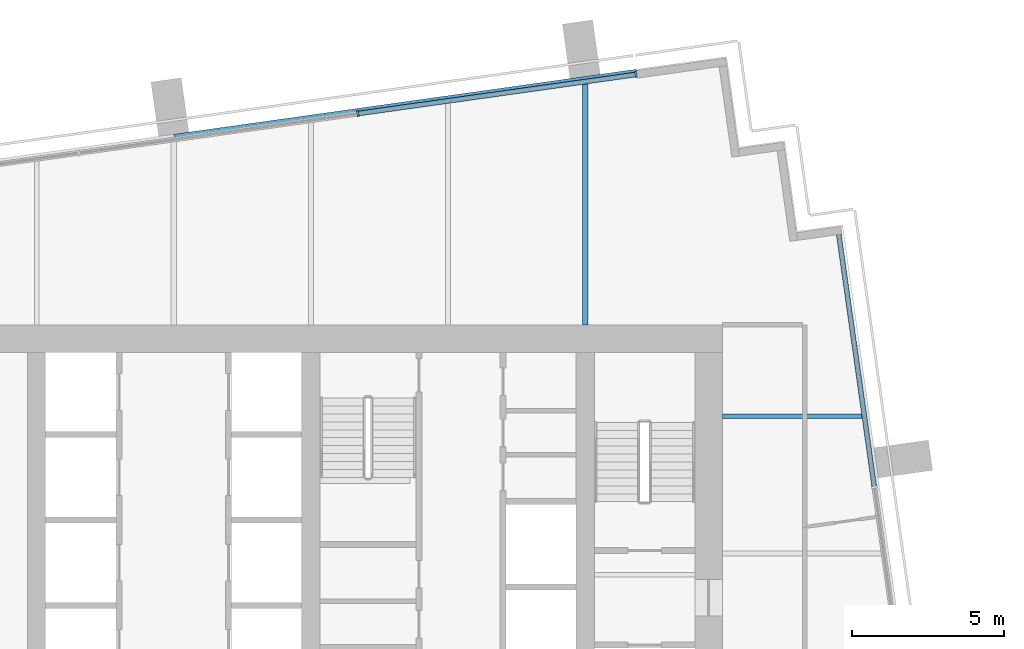
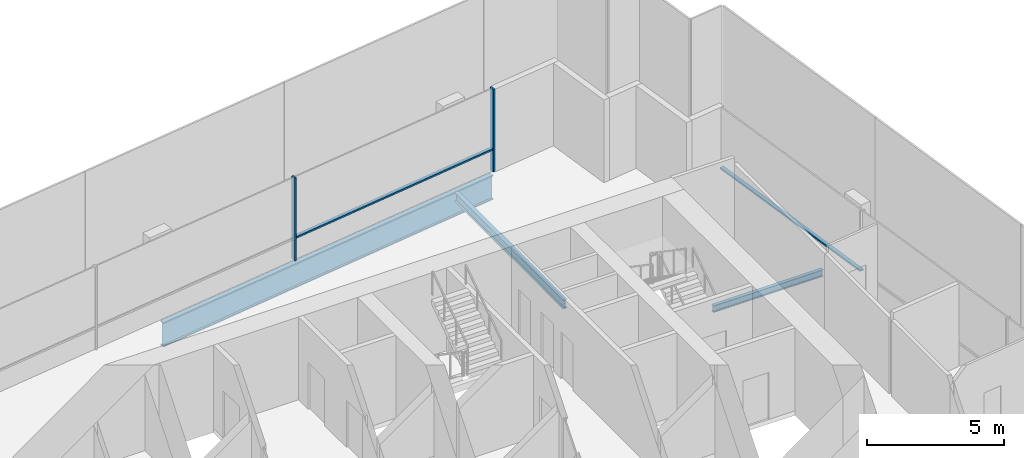
# One storey, part 6 of 15: 4 members, 3 beams, 2 elements without a shape of their own.
"""IFC4 building model written with IfcOpenShell, lengths in metres."""

from ifc_helpers import new_model, si_unit, direction, frame, origin, origin_2d, place, context, subcontext, project, spatial, rectangle, i_section, extrude, material, layer, layer_set, material_profile, profile_set, type_object, element, aggregate, save


model = new_model("IFC4")

# Units and contexts
model_context = context("Model", 3, precision=1e-05, world=origin(), true_north=direction((0.0, 1.0)))
body_context = subcontext(model_context, "Body", "Model", "MODEL_VIEW")
ifc_project = project(units=[si_unit("LENGTHUNIT", "METRE"), si_unit("AREAUNIT", "SQUARE_METRE"), si_unit("VOLUMEUNIT", "CUBIC_METRE"), si_unit("PLANEANGLEUNIT", "RADIAN"), si_unit("MASSUNIT", "GRAM", prefix="KILO")], contexts=[model_context])

# Site, building, storey
site_placement = place(None, origin())
site = spatial("IfcSite", under=ifc_project, at=site_placement, CompositionType="ELEMENT")
building_placement = place(site_placement, origin())
building = spatial("IfcBuilding", under=site, at=building_placement, Name="Rattan Terrace Tower", CompositionType="ELEMENT")
storey_placement = place(building_placement, frame((0.0, 0.0, 266.800048828125)))
storey = spatial("IfcBuildingStorey", under=building, at=storey_placement, Name="L61", CompositionType="ELEMENT", Elevation=266.800048828125)

# Beams
ifc_material_1 = material(Name="Steel S460", Category="steel")
ifc_material_profile_1 = material_profile(ifc_material_1, i_section(OverallWidth=0.179931640625, OverallDepth=1.10009765625, WebThickness=0.01611328125, FlangeThickness=0.050048828125, at=origin_2d()), Name="PG 1100x180-16-50")
ifc_profile_set_1 = profile_set([ifc_material_profile_1], Name="Steel S460")
beam_type_1 = type_object("IfcBeamType", Name="Frame edge girder PG 1100x180-16-50", PredefinedType="SPANDREL", material=ifc_profile_set_1)
beam_1_placement = place(storey_placement, frame((15.18896484375, 15.801025390625, -0.75), z_axis=(-0.99026622182, -0.139186241857, 0.0), x_axis=(0.139186241857, -0.99026622182, 0.0)))
element("IfcBeam", 1, at=beam_1_placement, inside=storey, type_object=beam_type_1, Name="gdr-L61-006", PredefinedType="SPANDREL", context=body_context, shape_type="SweptSolid", body=[
    extrude(i_section(OverallWidth=0.179931640625, OverallDepth=1.10009765625, WebThickness=0.01611328125, FlangeThickness=0.050048828125, at=origin_2d()), origin(), (0.0, 0.0, 1.0), 15.3251953125),
])
ifc_material_2 = material(Name="Steel S355", Category="steel")
ifc_material_profile_2 = material_profile(ifc_material_2, i_section(OverallWidth=0.14990234375, OverallDepth=0.300048828125, WebThickness=0.007080078125, FlangeThickness=0.0107421875, FilletRadius=0.014892578125, at=origin_2d()), Name="IPE 300")
ifc_profile_set_2 = profile_set([ifc_material_profile_2], Name="Steel S355")
beam_type_2 = type_object("IfcBeamType", Name="Frame floor beam IPE 300", PredefinedType="JOIST", material=ifc_profile_set_2)
beam_2_placement = place(storey_placement, frame((18.0, 4.5, -0.35009765625), z_axis=(1.0, 0.0, 0.0), x_axis=(0.0, 1.0, 0.0)))
element("IfcBeam", 2, at=beam_2_placement, inside=storey, type_object=beam_type_2, Name="bm-L61-014", PredefinedType="JOIST", context=body_context, shape_type="SweptSolid", body=[
    extrude(i_section(OverallWidth=0.14990234375, OverallDepth=0.300048828125, WebThickness=0.007080078125, FlangeThickness=0.0107421875, FilletRadius=0.014892578125, at=origin_2d()), origin(), (0.0, 0.0, 1.0), 4.64404296875),
])
ifc_material_3 = material(Name="Steel S355", Category="steel")
ifc_material_profile_3 = material_profile(ifc_material_3, i_section(OverallWidth=0.179931640625, OverallDepth=0.39990234375, WebThickness=0.008544921875, FlangeThickness=0.013427734375, FilletRadius=0.02099609375, at=origin_2d()), Name="IPE 400")
ifc_profile_set_3 = profile_set([ifc_material_profile_3], Name="Steel S355")
beam_type_3 = type_object("IfcBeamType", Name="Frame floor beam IPE 400", PredefinedType="JOIST", material=ifc_profile_set_3)
beam_3_placement = place(storey_placement, frame((13.5, 7.5, -0.400146484375), z_axis=(0.0, 1.0, 0.0), x_axis=(-1.0, 0.0, 0.0)))
element("IfcBeam", 3, at=beam_3_placement, inside=storey, type_object=beam_type_3, Name="bm-L61-021", PredefinedType="JOIST", context=body_context, shape_type="SweptSolid", body=[
    extrude(i_section(OverallWidth=0.179931640625, OverallDepth=0.39990234375, WebThickness=0.008544921875, FlangeThickness=0.013427734375, FilletRadius=0.02099609375, at=origin_2d()), origin(), (0.0, 0.0, 1.0), 7.9599609375),
])

# Curtain wall, members
ifc_material_4 = material(Name="Aluminium and laminated glass", Category="aluminium")
ifc_layer = layer(ifc_material_4, 0.199951171875)
ifc_layer_set = layer_set([ifc_layer], Name="High-Zone Unitised Curtain Wall")
curtain_wall_type = type_object("IfcCurtainWallType", Name="High-Zone Unitised Curtain Wall", PredefinedType="NOTDEFINED", material=ifc_layer_set)
curtain_wall_1_placement = place(storey_placement, origin())
curtain_wall_1 = element("IfcCurtainWall", 4, at=curtain_wall_1_placement, inside=storey, type_object=curtain_wall_type, Name="High-zone curtain wall L61-2", PredefinedType="NOTDEFINED")
ifc_material_5 = material(Name="Aluminium", Category="aluminium")
ifc_material_profile_4 = material_profile(ifc_material_5, rectangle(XDim=0.070068359375, YDim=0.199951171875, at=origin_2d()), Name="Aluminium 70x200")
ifc_profile_set_4 = profile_set([ifc_material_profile_4], Name="Aluminium")
member_type_1 = type_object("IfcMemberType", Name="High-Zone CW Mullion 70x200", PredefinedType="MULLION", material=ifc_profile_set_4)
member_1_placement = place(storey_placement, frame((15.1650390625, 15.716796875, 0.0), z_axis=(0.0, 0.0, 1.0), x_axis=(-0.990265894013, -0.139188574079, 0.0)))
member_1 = element("IfcMember", 5, at=member_1_placement, type_object=member_type_1, Name="Mullion cwl-L61-002.1", PredefinedType="MULLION", context=body_context, shape_type="SweptSolid", body=[
    extrude(rectangle(XDim=0.070068359375, YDim=0.199951171875, at=origin_2d()), origin(), (0.0, 0.0, 1.0), 3.699951171875),
])
member_2_placement = place(storey_placement, frame((6.040771484375, 14.434326171875, 0.0), z_axis=(0.0, 0.0, 1.0), x_axis=(-0.990265894013, -0.139188574079, 0.0)))
member_2 = element("IfcMember", 6, at=member_2_placement, type_object=member_type_1, Name="Mullion cwl-L61-002.2", PredefinedType="MULLION", context=body_context, shape_type="SweptSolid", body=[
    extrude(rectangle(XDim=0.070068359375, YDim=0.199951171875, at=origin_2d()), origin(), (0.0, 0.0, 1.0), 3.699951171875),
])

# Curtain wall, member
curtain_wall_2_placement = place(storey_placement, origin())
curtain_wall_2 = element("IfcCurtainWall", 7, at=curtain_wall_2_placement, inside=storey, type_object=curtain_wall_type, Name="High-zone curtain wall L61-1", PredefinedType="NOTDEFINED")
ifc_material_6 = material(Name="Aluminium", Category="aluminium")
ifc_material_profile_5 = material_profile(ifc_material_6, rectangle(XDim=0.159912109375, YDim=0.070068359375, at=origin_2d()), Name="Aluminium 160x70")
ifc_profile_set_5 = profile_set([ifc_material_profile_5], Name="Aluminium")
member_type_2 = type_object("IfcMemberType", Name="High-Zone CW Transom 160x70", PredefinedType="USERDEFINED", material=ifc_profile_set_5)
member_3_placement = place(storey_placement, frame((22.985107421875, 2.212158203125, 1.0), z_axis=(-0.139198740199, 0.990264465043, 0.0), x_axis=(-0.990264465043, -0.139198740199, 0.0)))
member_3 = element("IfcMember", 8, at=member_3_placement, type_object=member_type_2, Name="Transom cwl-L61-001.3", ObjectType="TRANSOM", PredefinedType="USERDEFINED", context=body_context, shape_type="SweptSolid", body=[
    extrude(rectangle(XDim=0.159912109375, YDim=0.070068359375, at=origin_2d()), origin(), (0.0, 0.0, 1.0), 8.336181640625),
])
aggregate(curtain_wall_2, [member_3])

# Member
member_4_placement = place(storey_placement, frame((15.13037109375, 15.7119140625, 1.0), z_axis=(-0.990266298783, -0.139185694291, 0.0), x_axis=(0.139185694291, -0.990266298783, 0.0)))
member_4 = element("IfcMember", 9, at=member_4_placement, type_object=member_type_2, Name="Transom cwl-L61-002.1", ObjectType="TRANSOM", PredefinedType="USERDEFINED", context=body_context, shape_type="SweptSolid", body=[
    extrude(rectangle(XDim=0.159912109375, YDim=0.070068359375, at=origin_2d()), origin(), (0.0, 0.0, 1.0), 9.14404296875),
])

aggregate(curtain_wall_1, [member_1, member_2, member_4])

save(model, "model.ifc")
